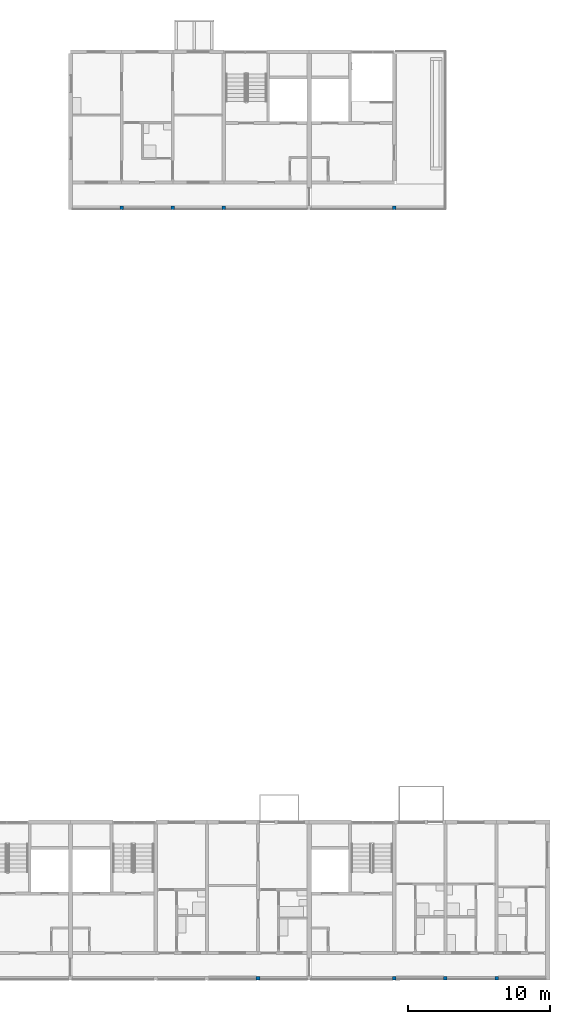
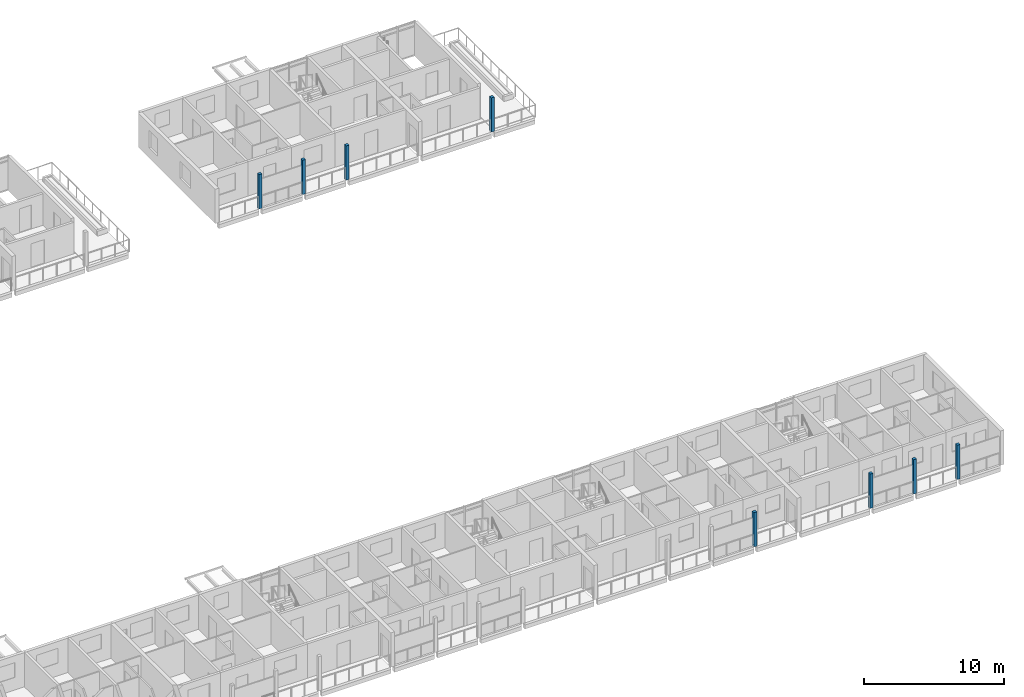
# One storey, part 4 of 87: 8 columns.
"""IFC4 building model written with IfcOpenShell, lengths in metres."""

from ifc_helpers import new_model, si_unit, direction, frame, origin, origin_2d, place, context, subcontext, project, spatial, rectangle, extrude, material, material_profile, profile_set, type_object, element, save


model = new_model("IFC4")

# Units and contexts
model_context = context("Model", 3, precision=1e-05, world=origin(), true_north=direction((0.0, 1.0)))
body_context = subcontext(model_context, "Body", "Model", "MODEL_VIEW")
ifc_project = project(units=[si_unit("LENGTHUNIT", "METRE"), si_unit("AREAUNIT", "SQUARE_METRE"), si_unit("VOLUMEUNIT", "CUBIC_METRE"), si_unit("PLANEANGLEUNIT", "RADIAN"), si_unit("MASSUNIT", "GRAM", prefix="KILO")], contexts=[model_context])

# Site, building, storey
site_placement = place(None, origin())
site = spatial("IfcSite", under=ifc_project, at=site_placement, CompositionType="ELEMENT")
building_placement = place(site_placement, origin())
building = spatial("IfcBuilding", under=site, at=building_placement, Name="Ridgestep Commons", CompositionType="ELEMENT")
storey_placement = place(building_placement, frame((0.0, 0.0, 27.0)))
storey = spatial("IfcBuildingStorey", under=building, at=storey_placement, Name="L09", CompositionType="ELEMENT", Elevation=27.0)

# Columns
ifc_material = material(Name="Precast concrete C40/50", Category="concrete")
ifc_material_profile = material_profile(ifc_material, rectangle(XDim=0.25, YDim=0.25, at=origin_2d()), Name="PC 250x250")
ifc_profile_set = profile_set([ifc_material_profile], Name="Precast concrete C40/50")
column_type = type_object("IfcColumnType", Name="Loggia column 250 x 250", PredefinedType="COLUMN", material=ifc_profile_set)
for number, where, z_axis, x_axis, name in (
    (1, (217.60009765625, 66.125, 0.0), (0.0, 0.0, 1.0), (1.0, 0.0, 0.0), "Loggia column C L09"),
    (2, (221.199951171875, 66.125, 0.0), (0.0, 0.0, 1.0), (1.0, 0.0, 0.0), "Loggia column C L09"),
    (3, (224.800048828125, 66.125, 0.0), (0.0, 0.0, 1.0), (1.0, 0.0, 0.0), "Loggia column C L09"),
    (4, (236.800048828125, 66.125, 0.0), (0.0, 0.0, 1.0), (1.0, 0.0, 0.0), "Loggia column C L09"),
    (5, (227.199951171875, 11.875, 0.0), (0.0, 0.0, 1.0), (1.0, 0.0, 0.0), "Loggia column D L09"),
    (6, (236.800048828125, 11.875, 0.0), (0.0, 0.0, 1.0), (1.0, 0.0, 0.0), "Loggia column D L09"),
    (7, (240.39990234375, 11.875, 0.0), (0.0, 0.0, 1.0), (1.0, 0.0, 0.0), "Loggia column D L09"),
    (8, (244.0, 11.875, 0.0), (0.0, 0.0, 1.0), (1.0, 0.0, 0.0), "Loggia column D L09"),
):
    element("IfcColumn", number, at=place(storey_placement, frame(where, z_axis=z_axis, x_axis=x_axis)), inside=storey, type_object=column_type, Name=name, PredefinedType="COLUMN", context=body_context, shape_type="SweptSolid", body=[
        extrude(rectangle(XDim=0.25, YDim=0.25, at=origin_2d()), origin(), (0.0, 0.0, 1.0), 3.0),
    ])

save(model, "model.ifc")
